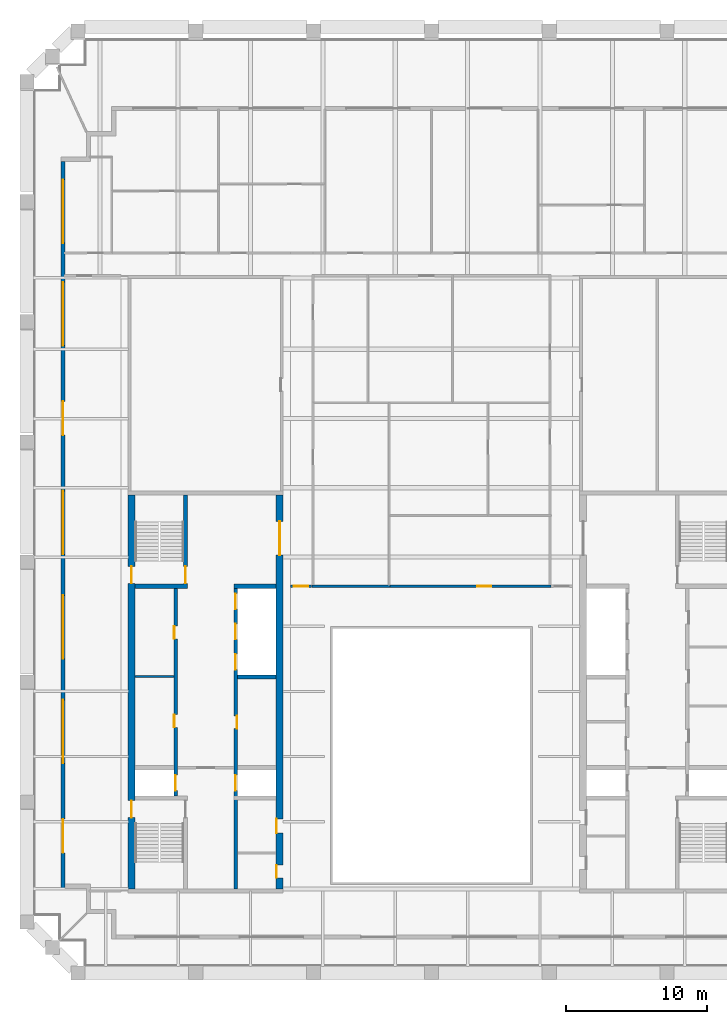
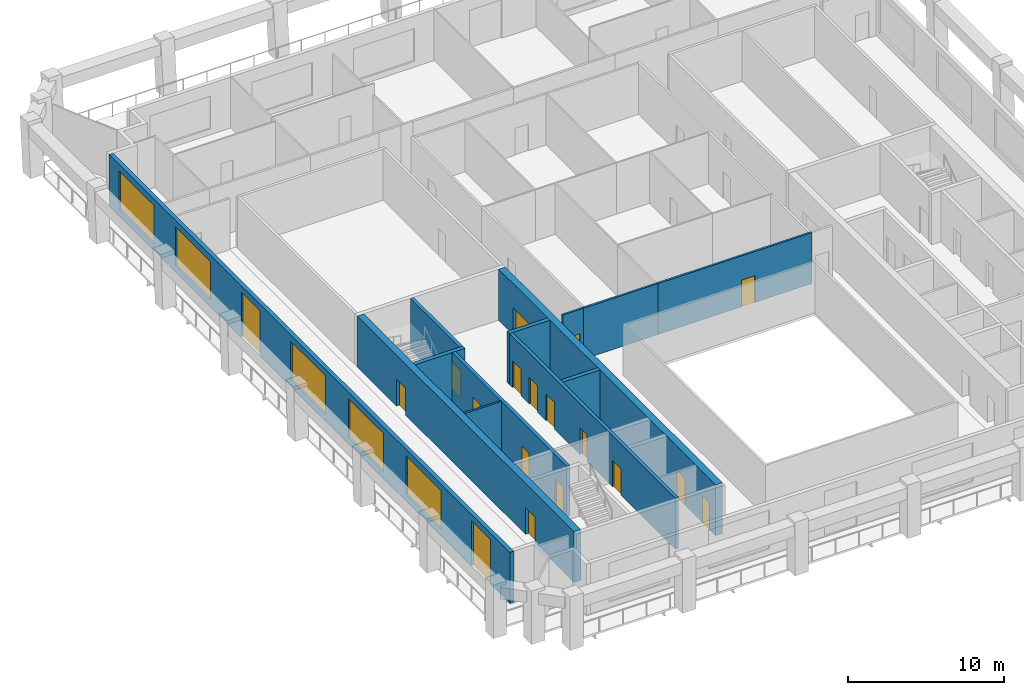
# One storey, part 3 of 8: 18 doors, 13 walls, 5 windows, 23 openings.
"""IFC4 building model written with IfcOpenShell, lengths in metres."""

from ifc_helpers import new_model, si_unit, direction, frame, frame_2d, origin, place, context, subcontext, project, spatial, rectangle, extrude, material, layer, layer_set, type_object, element, fill, save


model = new_model("IFC4")

# Units and contexts
model_context = context("Model", 3, precision=1e-05, world=origin(), true_north=direction((0.0, 1.0)))
body_context = subcontext(model_context, "Body", "Model", "MODEL_VIEW")
ifc_project = project(units=[si_unit("LENGTHUNIT", "METRE"), si_unit("AREAUNIT", "SQUARE_METRE"), si_unit("VOLUMEUNIT", "CUBIC_METRE"), si_unit("PLANEANGLEUNIT", "RADIAN"), si_unit("MASSUNIT", "GRAM", prefix="KILO")], contexts=[model_context])

# Site, building, storey
site_placement = place(None, origin())
site = spatial("IfcSite", under=ifc_project, at=site_placement, CompositionType="ELEMENT")
building_placement = place(site_placement, origin())
building = spatial("IfcBuilding", under=site, at=building_placement, Name="Ogive Exchange Tower", CompositionType="ELEMENT")
storey_placement = place(building_placement, frame((0.0, 0.0, 334.199951171875)))
storey = spatial("IfcBuildingStorey", under=building, at=storey_placement, Name="L73", CompositionType="ELEMENT", Elevation=334.199951171875)

# Walls
ifc_material_1 = material(Name="Gypsum board partition")
ifc_layer_1 = layer(ifc_material_1, 0.14990234375)
ifc_layer_set_1 = layer_set([ifc_layer_1], Name="Core room partition 150 gypsum")
wall_type_1 = type_object("IfcWallType", Name="Core room partition 150 gypsum", PredefinedType="PARTITIONING", material=ifc_layer_set_1)
wall_1_placement = place(storey_placement, frame((-21.0, 12.60009765625, 0.0), z_axis=(0.0, 0.0, 1.0), x_axis=(1.0, 0.0, 0.0)))
element("IfcWall", 1, at=wall_1_placement, inside=storey, type_object=wall_type_1, Name="W row A bay partition 1-1", PredefinedType="PARTITIONING", context=body_context, shape_type="SweptSolid", body=[
    extrude(rectangle(XDim=2.75, YDim=0.14990234375, at=frame_2d((1.375, 0.0))), origin(), (0.0, 0.0, 1.0), 4.0),
])
ifc_material_2 = material(Name="Fire partition EI 60 150")
ifc_layer_2 = layer(ifc_material_2, 0.14990234375)
ifc_layer_set_2 = layer_set([ifc_layer_2], Name="Fire partition EI 60 150")
wall_type_2 = type_object("IfcWallType", Name="Fire partition EI 60 150", PredefinedType="PARTITIONING", material=ifc_layer_set_2)
wall_2_placement = place(storey_placement, frame((-8.47509765625, 19.0, 0.0), z_axis=(0.0, 0.0, 1.0), x_axis=(1.0, 0.0, 0.0)))
element("IfcWall", 2, at=wall_2_placement, inside=storey, type_object=wall_type_2, Name="L73-PWL-015", PredefinedType="PARTITIONING", context=body_context, shape_type="SweptSolid", body=[
    extrude(rectangle(XDim=5.525146484375, YDim=0.14990234375, at=frame_2d((2.7626953125, 0.0))), origin(), (0.0, 0.0, 1.0), 4.0),
])

# Wall, opening, door
wall_3_placement = place(storey_placement, frame((-3.0, 19.0, 0.0), z_axis=(0.0, 0.0, 1.0), x_axis=(1.0, 0.0, 0.0)))
wall_3 = element("IfcWall", 3, at=wall_3_placement, inside=storey, type_object=wall_type_2, Name="L73-PWL-026", PredefinedType="PARTITIONING", context=body_context, shape_type="SweptSolid", body=[
    extrude(rectangle(XDim=11.47509765625, YDim=0.14990234375, at=frame_2d((5.737548828125, 0.0))), origin(), (0.0, 0.0, 1.0), 4.0),
])
opening_1_placement = place(wall_3_placement, frame((6.25, 0.0, 0.0)))
opening_1 = element("IfcOpeningElement", 4, at=opening_1_placement, cuts=wall_3, Name="Opening L73-I15", PredefinedType="OPENING", context=body_context, shape_type="SweptSolid", body=[
    extrude(rectangle(XDim=1.0, YDim=2.10009765625, at=frame_2d((0.5, 1.050048828125))), frame((0.0, 0.0849609375, 0.0), z_axis=(0.0, -1.0, 0.0), x_axis=(1.0, 0.0, 0.0)), (0.0, 0.0, 1.0), 0.169921875),
])
ifc_material_3 = material(Name="Fire door FD 30S 1000 x 2100")
door_type_1 = type_object("IfcDoorType", Name="Fire door FD 30S 1000 x 2100", OperationType="NOTDEFINED", PredefinedType="DOOR", material=ifc_material_3)
door_1_placement = place(opening_1_placement, origin())
door_1 = element("IfcDoor", 5, at=door_1_placement, inside=storey, type_object=door_type_1, Name="L73-IDR-015", ObjectType="DT3", OperationType="SINGLE_SWING_LEFT", OverallHeight=2.10009765625, OverallWidth=1.0, PredefinedType="DOOR", context=body_context, shape_type="SweptSolid", body=[
    extrude(rectangle(XDim=1.0, YDim=2.10009765625, at=frame_2d((0.5, 1.050048828125))), frame((0.0, 0.02490234375, 0.0), z_axis=(0.0, -1.0, 0.0), x_axis=(1.0, 0.0, 0.0)), (0.0, 0.0, 1.0), 0.050048828125),
])
fill(opening_1, door_1)

wall_4_placement = place(storey_placement, frame((-10.0, 19.0, 0.0), z_axis=(0.0, 0.0, 1.0), x_axis=(1.0, 0.0, 0.0)))
wall_4 = element("IfcWall", 6, at=wall_4_placement, inside=storey, type_object=wall_type_2, Name="L73-PWL-055", PredefinedType="PARTITIONING", context=body_context, shape_type="SweptSolid", body=[
    extrude(rectangle(XDim=1.514892578125, YDim=0.14990234375, at=frame_2d((0.75732421875, 0.0))), origin(), (0.0, 0.0, 1.0), 4.0),
])
opening_2_placement = place(wall_4_placement, frame((0.258056640625, 0.0, 0.0)))
opening_2 = element("IfcOpeningElement", 7, at=opening_2_placement, cuts=wall_4, Name="Opening L73-I21", PredefinedType="OPENING", context=body_context, shape_type="SweptSolid", body=[
    extrude(rectangle(XDim=1.0, YDim=2.10009765625, at=frame_2d((0.5, 1.050048828125))), frame((0.0, 0.0849609375, 0.0), z_axis=(0.0, -1.0, 0.0), x_axis=(1.0, 0.0, 0.0)), (0.0, 0.0, 1.0), 0.169921875),
])
door_2_placement = place(opening_2_placement, origin())
door_2 = element("IfcDoor", 8, at=door_2_placement, inside=storey, type_object=door_type_1, Name="L73-IDR-021", ObjectType="DT3", OperationType="SINGLE_SWING_LEFT", OverallHeight=2.10009765625, OverallWidth=1.0, PredefinedType="DOOR", context=body_context, shape_type="SweptSolid", body=[
    extrude(rectangle(XDim=1.0, YDim=2.10009765625, at=frame_2d((0.5, 1.050048828125))), frame((0.0, 0.02490234375, 0.0), z_axis=(0.0, -1.0, 0.0), x_axis=(1.0, 0.0, 0.0)), (0.0, 0.0, 1.0), 0.050048828125),
])
fill(opening_2, door_2)

# Wall, openings, doors, windows
ifc_material_4 = material(Name="Precast concrete C40/50", Category="concrete")
ifc_layer_3 = layer(ifc_material_4, 0.300048828125)
ifc_layer_set_3 = layer_set([ifc_layer_3], Name="Limestone-faced wall 300")
wall_type_3 = type_object("IfcWallType", Name="Limestone-faced wall 300", PredefinedType="STANDARD", material=ifc_layer_set_3)
wall_5_placement = place(storey_placement, frame((-26.10009765625, 49.10009765625, 0.0), z_axis=(0.0, 0.0, 1.0), x_axis=(0.0, -1.0, 0.0)))
wall_5 = element("IfcWall", 9, at=wall_5_placement, inside=storey, type_object=wall_type_3, Name="External wall W4", PredefinedType="STANDARD", context=body_context, shape_type="SweptSolid", body=[
    extrude(rectangle(XDim=51.5, YDim=0.300048828125, at=frame_2d((25.75, 0.0))), origin(), (0.0, 0.0, 1.0), 4.0),
])
opening_3_placement = place(wall_5_placement, frame((1.300048828125, 0.0, 0.449951171875)))
opening_3 = element("IfcOpeningElement", 10, at=opening_3_placement, cuts=wall_5, Name="Opening W1", PredefinedType="OPENING", context=body_context, shape_type="SweptSolid", body=[
    extrude(rectangle(XDim=4.5, YDim=3.050048828125, at=frame_2d((2.25, 1.52490234375))), frame((0.0, 0.159912109375, 0.0), z_axis=(0.0, -1.0, 0.0), x_axis=(1.0, 0.0, 0.0)), (0.0, 0.0, 1.0), 0.320068359375),
])
opening_4_placement = place(wall_5_placement, frame((8.550048828125, 0.0, 0.449951171875)))
opening_4 = element("IfcOpeningElement", 11, at=opening_4_placement, cuts=wall_5, Name="Opening W1", PredefinedType="OPENING", context=body_context, shape_type="SweptSolid", body=[
    extrude(rectangle(XDim=4.5, YDim=3.050048828125, at=frame_2d((2.25, 1.52490234375))), frame((0.0, 0.159912109375, 0.0), z_axis=(0.0, -1.0, 0.0), x_axis=(1.0, 0.0, 0.0)), (0.0, 0.0, 1.0), 0.320068359375),
])
opening_5_placement = place(wall_5_placement, frame((17.0, 0.0, 0.0)))
opening_5 = element("IfcOpeningElement", 12, at=opening_5_placement, cuts=wall_5, Name="Opening D1", PredefinedType="OPENING", context=body_context, shape_type="SweptSolid", body=[
    extrude(rectangle(XDim=2.39990234375, YDim=3.5, at=frame_2d((1.199951171875, 1.75))), frame((0.0, 0.159912109375, 0.0), z_axis=(0.0, -1.0, 0.0), x_axis=(1.0, 0.0, 0.0)), (0.0, 0.0, 1.0), 0.320068359375),
])
opening_6_placement = place(wall_5_placement, frame((23.35009765625, 0.0, 0.449951171875)))
opening_6 = element("IfcOpeningElement", 13, at=opening_6_placement, cuts=wall_5, Name="Opening W1", PredefinedType="OPENING", context=body_context, shape_type="SweptSolid", body=[
    extrude(rectangle(XDim=4.5, YDim=3.050048828125, at=frame_2d((2.25, 1.52490234375))), frame((0.0, 0.159912109375, 0.0), z_axis=(0.0, -1.0, 0.0), x_axis=(1.0, 0.0, 0.0)), (0.0, 0.0, 1.0), 0.320068359375),
])
opening_7_placement = place(wall_5_placement, frame((30.75, 0.0, 0.449951171875)))
opening_7 = element("IfcOpeningElement", 14, at=opening_7_placement, cuts=wall_5, Name="Opening W1", PredefinedType="OPENING", context=body_context, shape_type="SweptSolid", body=[
    extrude(rectangle(XDim=4.5, YDim=3.050048828125, at=frame_2d((2.25, 1.52490234375))), frame((0.0, 0.159912109375, 0.0), z_axis=(0.0, -1.0, 0.0), x_axis=(1.0, 0.0, 0.0)), (0.0, 0.0, 1.0), 0.320068359375),
])
opening_8_placement = place(wall_5_placement, frame((38.14990234375, 0.0, 0.449951171875)))
opening_8 = element("IfcOpeningElement", 15, at=opening_8_placement, cuts=wall_5, Name="Opening W1", PredefinedType="OPENING", context=body_context, shape_type="SweptSolid", body=[
    extrude(rectangle(XDim=4.5, YDim=3.050048828125, at=frame_2d((2.25, 1.52490234375))), frame((0.0, 0.159912109375, 0.0), z_axis=(0.0, -1.0, 0.0), x_axis=(1.0, 0.0, 0.0)), (0.0, 0.0, 1.0), 0.320068359375),
])
opening_9_placement = place(wall_5_placement, frame((46.60009765625, 0.0, 0.0)))
opening_9 = element("IfcOpeningElement", 16, at=opening_9_placement, cuts=wall_5, Name="Opening D1", PredefinedType="OPENING", context=body_context, shape_type="SweptSolid", body=[
    extrude(rectangle(XDim=2.39990234375, YDim=3.5, at=frame_2d((1.199951171875, 1.75))), frame((0.0, 0.159912109375, 0.0), z_axis=(0.0, -1.0, 0.0), x_axis=(1.0, 0.0, 0.0)), (0.0, 0.0, 1.0), 0.320068359375),
])
ifc_material_5 = material(Name="Clear glass in bronze frame", Category="glass")
door_type_2 = type_object("IfcDoorType", Name="Sliding loggia door 2400 x 3500", OperationType="DOUBLE_DOOR_SLIDING", PredefinedType="DOOR", material=ifc_material_5)
door_3_placement = place(opening_5_placement, origin())
door_3 = element("IfcDoor", 17, at=door_3_placement, inside=storey, type_object=door_type_2, Name="Loggia door W02", OperationType="DOUBLE_DOOR_SLIDING", OverallHeight=3.5, OverallWidth=2.39990234375, PredefinedType="DOOR", context=body_context, shape_type="SweptSolid", body=[
    extrude(rectangle(XDim=2.39990234375, YDim=3.5, at=frame_2d((1.199951171875, 1.75))), frame((0.0, 0.02490234375, 0.0), z_axis=(0.0, -1.0, 0.0), x_axis=(1.0, 0.0, 0.0)), (0.0, 0.0, 1.0), 0.050048828125),
])
fill(opening_5, door_3)
door_4_placement = place(opening_9_placement, origin())
door_4 = element("IfcDoor", 18, at=door_4_placement, inside=storey, type_object=door_type_2, Name="Loggia door W06", OperationType="DOUBLE_DOOR_SLIDING", OverallHeight=3.5, OverallWidth=2.39990234375, PredefinedType="DOOR", context=body_context, shape_type="SweptSolid", body=[
    extrude(rectangle(XDim=2.39990234375, YDim=3.5, at=frame_2d((1.199951171875, 1.75))), frame((0.0, 0.02490234375, 0.0), z_axis=(0.0, -1.0, 0.0), x_axis=(1.0, 0.0, 0.0)), (0.0, 0.0, 1.0), 0.050048828125),
])
fill(opening_9, door_4)
window_type = type_object("IfcWindowType", Name="Twin lancet window 4500 x 3050", PartitioningType="DOUBLE_PANEL_VERTICAL", PredefinedType="WINDOW", material=ifc_material_5)
window_1_placement = place(opening_3_placement, origin())
window_1 = element("IfcWindow", 19, at=window_1_placement, inside=storey, type_object=window_type, Name="Window W00", OverallHeight=3.050048828125, OverallWidth=4.5, PartitioningType="DOUBLE_PANEL_VERTICAL", PredefinedType="WINDOW", context=body_context, shape_type="SweptSolid", body=[
    extrude(rectangle(XDim=4.5, YDim=3.050048828125, at=frame_2d((2.25, 1.52490234375))), frame((0.0, 0.030029296875, 0.0), z_axis=(0.0, -1.0, 0.0), x_axis=(1.0, 0.0, 0.0)), (0.0, 0.0, 1.0), 0.06005859375),
])
fill(opening_3, window_1)
window_2_placement = place(opening_4_placement, origin())
window_2 = element("IfcWindow", 20, at=window_2_placement, inside=storey, type_object=window_type, Name="Window W01", OverallHeight=3.050048828125, OverallWidth=4.5, PartitioningType="DOUBLE_PANEL_VERTICAL", PredefinedType="WINDOW", context=body_context, shape_type="SweptSolid", body=[
    extrude(rectangle(XDim=4.5, YDim=3.050048828125, at=frame_2d((2.25, 1.52490234375))), frame((0.0, 0.030029296875, 0.0), z_axis=(0.0, -1.0, 0.0), x_axis=(1.0, 0.0, 0.0)), (0.0, 0.0, 1.0), 0.06005859375),
])
fill(opening_4, window_2)
window_3_placement = place(opening_6_placement, origin())
window_3 = element("IfcWindow", 21, at=window_3_placement, inside=storey, type_object=window_type, Name="Window W03", OverallHeight=3.050048828125, OverallWidth=4.5, PartitioningType="DOUBLE_PANEL_VERTICAL", PredefinedType="WINDOW", context=body_context, shape_type="SweptSolid", body=[
    extrude(rectangle(XDim=4.5, YDim=3.050048828125, at=frame_2d((2.25, 1.52490234375))), frame((0.0, 0.030029296875, 0.0), z_axis=(0.0, -1.0, 0.0), x_axis=(1.0, 0.0, 0.0)), (0.0, 0.0, 1.0), 0.06005859375),
])
fill(opening_6, window_3)
window_4_placement = place(opening_7_placement, origin())
window_4 = element("IfcWindow", 22, at=window_4_placement, inside=storey, type_object=window_type, Name="Window W04", OverallHeight=3.050048828125, OverallWidth=4.5, PartitioningType="DOUBLE_PANEL_VERTICAL", PredefinedType="WINDOW", context=body_context, shape_type="SweptSolid", body=[
    extrude(rectangle(XDim=4.5, YDim=3.050048828125, at=frame_2d((2.25, 1.52490234375))), frame((0.0, 0.030029296875, 0.0), z_axis=(0.0, -1.0, 0.0), x_axis=(1.0, 0.0, 0.0)), (0.0, 0.0, 1.0), 0.06005859375),
])
fill(opening_7, window_4)
window_5_placement = place(opening_8_placement, origin())
window_5 = element("IfcWindow", 23, at=window_5_placement, inside=storey, type_object=window_type, Name="Window W05", OverallHeight=3.050048828125, OverallWidth=4.5, PartitioningType="DOUBLE_PANEL_VERTICAL", PredefinedType="WINDOW", context=body_context, shape_type="SweptSolid", body=[
    extrude(rectangle(XDim=4.5, YDim=3.050048828125, at=frame_2d((2.25, 1.52490234375))), frame((0.0, 0.030029296875, 0.0), z_axis=(0.0, -1.0, 0.0), x_axis=(1.0, 0.0, 0.0)), (0.0, 0.0, 1.0), 0.06005859375),
])
fill(opening_8, window_5)

# Wall, opening, door
ifc_material_6 = material(Name="Concrete C70/85", Category="concrete")
ifc_layer_4 = layer(ifc_material_6, 0.25)
ifc_layer_set_4 = layer_set([ifc_layer_4], Name="RC core wall 250 C70/85")
wall_type_4 = type_object("IfcWallType", Name="RC core wall 250 C70/85", PredefinedType="SHEAR", material=ifc_layer_set_4)
wall_6_placement = place(storey_placement, frame((-17.425048828125, 19.14990234375, 0.0), z_axis=(0.0, 0.0, 1.0), x_axis=(0.0, 1.0, 0.0)))
wall_6 = element("IfcWall", 24, at=wall_6_placement, inside=storey, type_object=wall_type_4, Name="W stair N front wall", PredefinedType="SHEAR", context=body_context, shape_type="SweptSolid", body=[
    extrude(rectangle(XDim=6.300048828125, YDim=0.25, at=frame_2d((3.14990234375, 0.0))), origin(), (0.0, 0.0, 1.0), 4.0),
])
opening_10_placement = place(wall_6_placement, frame((0.050048828125, 0.0, 0.0)))
opening_10 = element("IfcOpeningElement", 25, at=opening_10_placement, cuts=wall_6, Name="Opening L73-C13", PredefinedType="OPENING", context=body_context, shape_type="SweptSolid", body=[
    extrude(rectangle(XDim=1.199951171875, YDim=2.10009765625, at=frame_2d((0.60009765625, 1.050048828125))), frame((0.0, 0.135009765625, 0.0), z_axis=(0.0, -1.0, 0.0), x_axis=(1.0, 0.0, 0.0)), (0.0, 0.0, 1.0), 0.27001953125),
])
ifc_material_7 = material(Name="Steel fire door", Category="steel")
door_type_3 = type_object("IfcDoorType", Name="Stair door FD90 1200 x 2100", OperationType="NOTDEFINED", PredefinedType="DOOR", material=ifc_material_7)
door_5_placement = place(opening_10_placement, origin())
door_5 = element("IfcDoor", 26, at=door_5_placement, inside=storey, type_object=door_type_3, Name="Stair door", ObjectType="CD5", OperationType="SINGLE_SWING_RIGHT", OverallHeight=2.10009765625, OverallWidth=1.199951171875, PredefinedType="DOOR", context=body_context, shape_type="SweptSolid", body=[
    extrude(rectangle(XDim=1.199951171875, YDim=2.10009765625, at=frame_2d((0.60009765625, 1.050048828125))), frame((0.0, 0.02490234375, 0.0), z_axis=(0.0, -1.0, 0.0), x_axis=(1.0, 0.0, 0.0)), (0.0, 0.0, 1.0), 0.050048828125),
])
fill(opening_10, door_5)

# Wall, openings, doors
wall_7_placement = place(storey_placement, frame((-18.125, 4.14990234375, 0.0), z_axis=(0.0, 0.0, 1.0), x_axis=(0.0, 1.0, 0.0)))
wall_7 = element("IfcWall", 27, at=wall_7_placement, inside=storey, type_object=wall_type_4, Name="W row A front wall", PredefinedType="SHEAR", context=body_context, shape_type="SweptSolid", body=[
    extrude(rectangle(XDim=14.7001953125, YDim=0.25, at=frame_2d((7.35009765625, 0.0))), origin(), (0.0, 0.0, 1.0), 4.0),
])
opening_11_placement = place(wall_7_placement, frame((4.846435546875, 0.0, 0.0)))
opening_11 = element("IfcOpeningElement", 28, at=opening_11_placement, cuts=wall_7, Name="Opening L73-C01", PredefinedType="OPENING", context=body_context, shape_type="SweptSolid", body=[
    extrude(rectangle(XDim=0.89990234375, YDim=2.10009765625, at=frame_2d((0.449951171875, 1.050048828125))), frame((0.0, 0.135009765625, 0.0), z_axis=(0.0, -1.0, 0.0), x_axis=(1.0, 0.0, 0.0)), (0.0, 0.0, 1.0), 0.27001953125),
])
opening_12_placement = place(wall_7_placement, frame((11.125, 0.0, 0.0)))
opening_12 = element("IfcOpeningElement", 29, at=opening_12_placement, cuts=wall_7, Name="Opening L73-C02", PredefinedType="OPENING", context=body_context, shape_type="SweptSolid", body=[
    extrude(rectangle(XDim=0.89990234375, YDim=2.10009765625, at=frame_2d((0.449951171875, 1.050048828125))), frame((0.0, 0.135009765625, 0.0), z_axis=(0.0, -1.0, 0.0), x_axis=(1.0, 0.0, 0.0)), (0.0, 0.0, 1.0), 0.27001953125),
])
opening_13_placement = place(wall_7_placement, frame((0.371337890625, 0.0, 0.0)))
opening_13 = element("IfcOpeningElement", 30, at=opening_13_placement, cuts=wall_7, Name="Opening L73-C03", PredefinedType="OPENING", context=body_context, shape_type="SweptSolid", body=[
    extrude(rectangle(XDim=1.10009765625, YDim=2.10009765625, at=frame_2d((0.550048828125, 1.050048828125))), frame((0.0, 0.135009765625, 0.0), z_axis=(0.0, -1.0, 0.0), x_axis=(1.0, 0.0, 0.0)), (0.0, 0.0, 1.0), 0.27001953125),
])
ifc_material_8 = material(Name="Stainless steel", Category="steel")
door_type_4 = type_object("IfcDoorType", Name="Lift landing door FD90 1100 x 2100", OperationType="SLIDING_TO_LEFT", PredefinedType="DOOR", material=ifc_material_8)
door_6_placement = place(opening_13_placement, origin())
door_6 = element("IfcDoor", 31, at=door_6_placement, inside=storey, type_object=door_type_4, Name="Lift landing door FF1", ObjectType="LD", OperationType="SLIDING_TO_LEFT", OverallHeight=2.10009765625, OverallWidth=1.10009765625, PredefinedType="DOOR", context=body_context, shape_type="SweptSolid", body=[
    extrude(rectangle(XDim=1.10009765625, YDim=2.10009765625, at=frame_2d((0.550048828125, 1.050048828125))), frame((0.0, 0.02490234375, 0.0), z_axis=(0.0, -1.0, 0.0), x_axis=(1.0, 0.0, 0.0)), (0.0, 0.0, 1.0), 0.050048828125),
])
fill(opening_13, door_6)
door_type_5 = type_object("IfcDoorType", Name="Riser door FD60 900 x 2100", OperationType="NOTDEFINED", PredefinedType="DOOR", material=ifc_material_7)
door_7_placement = place(opening_11_placement, origin())
door_7 = element("IfcDoor", 32, at=door_7_placement, inside=storey, type_object=door_type_5, Name="Riser door", ObjectType="CD2", OperationType="SINGLE_SWING_LEFT", OverallHeight=2.10009765625, OverallWidth=0.89990234375, PredefinedType="DOOR", context=body_context, shape_type="SweptSolid", body=[
    extrude(rectangle(XDim=0.89990234375, YDim=2.10009765625, at=frame_2d((0.449951171875, 1.050048828125))), frame((0.0, 0.125, 0.0), z_axis=(0.0, -1.0, 0.0), x_axis=(1.0, 0.0, 0.0)), (0.0, 0.0, 1.0), 0.050048828125),
])
fill(opening_11, door_7)
door_8_placement = place(opening_12_placement, origin())
door_8 = element("IfcDoor", 33, at=door_8_placement, inside=storey, type_object=door_type_5, Name="Riser door", ObjectType="CD2", OperationType="SINGLE_SWING_LEFT", OverallHeight=2.10009765625, OverallWidth=0.89990234375, PredefinedType="DOOR", context=body_context, shape_type="SweptSolid", body=[
    extrude(rectangle(XDim=0.89990234375, YDim=2.10009765625, at=frame_2d((0.449951171875, 1.050048828125))), frame((0.0, 0.125, 0.0), z_axis=(0.0, -1.0, 0.0), x_axis=(1.0, 0.0, 0.0)), (0.0, 0.0, 1.0), 0.050048828125),
])
fill(opening_12, door_8)

wall_8_placement = place(storey_placement, frame((-13.875, -2.449951171875, 0.0), z_axis=(0.0, 0.0, 1.0), x_axis=(0.0, 1.0, 0.0)))
wall_8 = element("IfcWall", 34, at=wall_8_placement, inside=storey, type_object=wall_type_4, Name="W row B front wall", PredefinedType="SHEAR", context=body_context, shape_type="SweptSolid", body=[
    extrude(rectangle(XDim=21.300048828125, YDim=0.25, at=frame_2d((10.64990234375, 0.0))), origin(), (0.0, 0.0, 1.0), 4.0),
])
opening_14_placement = place(wall_8_placement, frame((11.357177734375, 0.0, 0.0)))
opening_14 = element("IfcOpeningElement", 35, at=opening_14_placement, cuts=wall_8, Name="Opening L73-C04", PredefinedType="OPENING", context=body_context, shape_type="SweptSolid", body=[
    extrude(rectangle(XDim=0.89990234375, YDim=2.10009765625, at=frame_2d((0.449951171875, 1.050048828125))), frame((0.0, 0.135009765625, 0.0), z_axis=(0.0, -1.0, 0.0), x_axis=(1.0, 0.0, 0.0)), (0.0, 0.0, 1.0), 0.27001953125),
])
opening_15_placement = place(wall_8_placement, frame((6.971435546875, 0.0, 0.0)))
opening_15 = element("IfcOpeningElement", 36, at=opening_15_placement, cuts=wall_8, Name="Opening L73-C05", PredefinedType="OPENING", context=body_context, shape_type="SweptSolid", body=[
    extrude(rectangle(XDim=1.10009765625, YDim=2.10009765625, at=frame_2d((0.550048828125, 1.050048828125))), frame((0.0, 0.135009765625, 0.0), z_axis=(0.0, -1.0, 0.0), x_axis=(1.0, 0.0, 0.0)), (0.0, 0.0, 1.0), 0.27001953125),
])
opening_16_placement = place(wall_8_placement, frame((15.54296875, 0.0, 0.0)))
opening_16 = element("IfcOpeningElement", 37, at=opening_16_placement, cuts=wall_8, Name="Opening L73-C06", PredefinedType="OPENING", context=body_context, shape_type="SweptSolid", body=[
    extrude(rectangle(XDim=1.10009765625, YDim=2.10009765625, at=frame_2d((0.550048828125, 1.050048828125))), frame((0.0, 0.135009765625, 0.0), z_axis=(0.0, -1.0, 0.0), x_axis=(1.0, 0.0, 0.0)), (0.0, 0.0, 1.0), 0.27001953125),
])
opening_17_placement = place(wall_8_placement, frame((17.685791015625, 0.0, 0.0)))
opening_17 = element("IfcOpeningElement", 38, at=opening_17_placement, cuts=wall_8, Name="Opening L73-C07", PredefinedType="OPENING", context=body_context, shape_type="SweptSolid", body=[
    extrude(rectangle(XDim=1.10009765625, YDim=2.10009765625, at=frame_2d((0.550048828125, 1.050048828125))), frame((0.0, 0.135009765625, 0.0), z_axis=(0.0, -1.0, 0.0), x_axis=(1.0, 0.0, 0.0)), (0.0, 0.0, 1.0), 0.27001953125),
])
opening_18_placement = place(wall_8_placement, frame((19.82861328125, 0.0, 0.0)))
opening_18 = element("IfcOpeningElement", 39, at=opening_18_placement, cuts=wall_8, Name="Opening L73-C08", PredefinedType="OPENING", context=body_context, shape_type="SweptSolid", body=[
    extrude(rectangle(XDim=1.10009765625, YDim=2.10009765625, at=frame_2d((0.550048828125, 1.050048828125))), frame((0.0, 0.135009765625, 0.0), z_axis=(0.0, -1.0, 0.0), x_axis=(1.0, 0.0, 0.0)), (0.0, 0.0, 1.0), 0.27001953125),
])
door_9_placement = place(opening_15_placement, origin())
door_9 = element("IfcDoor", 40, at=door_9_placement, inside=storey, type_object=door_type_4, Name="Lift landing door SV1", ObjectType="LD", OperationType="SLIDING_TO_LEFT", OverallHeight=2.10009765625, OverallWidth=1.10009765625, PredefinedType="DOOR", context=body_context, shape_type="SweptSolid", body=[
    extrude(rectangle(XDim=1.10009765625, YDim=2.10009765625, at=frame_2d((0.550048828125, 1.050048828125))), frame((0.0, 0.02490234375, 0.0), z_axis=(0.0, -1.0, 0.0), x_axis=(1.0, 0.0, 0.0)), (0.0, 0.0, 1.0), 0.050048828125),
])
fill(opening_15, door_9)
door_10_placement = place(opening_16_placement, origin())
door_10 = element("IfcDoor", 41, at=door_10_placement, inside=storey, type_object=door_type_4, Name="Lift landing door W-H1", ObjectType="LD", OperationType="SLIDING_TO_LEFT", OverallHeight=2.10009765625, OverallWidth=1.10009765625, PredefinedType="DOOR", context=body_context, shape_type="SweptSolid", body=[
    extrude(rectangle(XDim=1.10009765625, YDim=2.10009765625, at=frame_2d((0.550048828125, 1.050048828125))), frame((0.0, 0.02490234375, 0.0), z_axis=(0.0, -1.0, 0.0), x_axis=(1.0, 0.0, 0.0)), (0.0, 0.0, 1.0), 0.050048828125),
])
fill(opening_16, door_10)
door_11_placement = place(opening_17_placement, origin())
door_11 = element("IfcDoor", 42, at=door_11_placement, inside=storey, type_object=door_type_4, Name="Lift landing door W-H2", ObjectType="LD", OperationType="SLIDING_TO_LEFT", OverallHeight=2.10009765625, OverallWidth=1.10009765625, PredefinedType="DOOR", context=body_context, shape_type="SweptSolid", body=[
    extrude(rectangle(XDim=1.10009765625, YDim=2.10009765625, at=frame_2d((0.550048828125, 1.050048828125))), frame((0.0, 0.02490234375, 0.0), z_axis=(0.0, -1.0, 0.0), x_axis=(1.0, 0.0, 0.0)), (0.0, 0.0, 1.0), 0.050048828125),
])
fill(opening_17, door_11)
door_12_placement = place(opening_18_placement, origin())
door_12 = element("IfcDoor", 43, at=door_12_placement, inside=storey, type_object=door_type_4, Name="Lift landing door W-H3", ObjectType="LD", OperationType="SLIDING_TO_LEFT", OverallHeight=2.10009765625, OverallWidth=1.10009765625, PredefinedType="DOOR", context=body_context, shape_type="SweptSolid", body=[
    extrude(rectangle(XDim=1.10009765625, YDim=2.10009765625, at=frame_2d((0.550048828125, 1.050048828125))), frame((0.0, 0.02490234375, 0.0), z_axis=(0.0, -1.0, 0.0), x_axis=(1.0, 0.0, 0.0)), (0.0, 0.0, 1.0), 0.050048828125),
])
fill(opening_18, door_12)
door_13_placement = place(opening_14_placement, frame((0.89990234375, -0.2001953125, 0.0), z_axis=(0.0, 0.0, 1.0), x_axis=(-1.0, 0.0, 0.0)))
door_13 = element("IfcDoor", 44, at=door_13_placement, inside=storey, type_object=door_type_5, Name="Riser door", ObjectType="CD2", OperationType="SINGLE_SWING_LEFT", OverallHeight=2.10009765625, OverallWidth=0.89990234375, PredefinedType="DOOR", context=body_context, shape_type="SweptSolid", body=[
    extrude(rectangle(XDim=0.89990234375, YDim=2.10009765625, at=frame_2d((0.449951171875, 1.050048828125))), frame((0.0, -0.0751953125, 0.0), z_axis=(0.0, -1.0, 0.0), x_axis=(1.0, 0.0, 0.0)), (0.0, 0.0, 1.0), 0.050048828125),
])
fill(opening_14, door_13)

# Walls
ifc_layer_5 = layer(ifc_material_6, 0.300048828125)
ifc_layer_set_5 = layer_set([ifc_layer_5], Name="RC core wall 300 C70/85")
wall_type_5 = type_object("IfcWallType", Name="RC core wall 300 C70/85", PredefinedType="SHEAR", material=ifc_layer_set_5)
wall_9_placement = place(storey_placement, frame((-21.0, 19.0, 0.0), z_axis=(0.0, 0.0, 1.0), x_axis=(1.0, 0.0, 0.0)))
element("IfcWall", 45, at=wall_9_placement, inside=storey, type_object=wall_type_5, Name="W stair N south wall", PredefinedType="SHEAR", context=body_context, shape_type="SweptSolid", body=[
    extrude(rectangle(XDim=3.699951171875, YDim=0.300048828125, at=frame_2d((1.85009765625, 0.0))), origin(), (0.0, 0.0, 1.0), 4.0),
])
wall_10_placement = place(storey_placement, frame((-13.75, 12.5712890625, 0.0), z_axis=(0.0, 0.0, 1.0), x_axis=(1.0, 0.0, 0.0)))
element("IfcWall", 46, at=wall_10_placement, inside=storey, type_object=wall_type_5, Name="W row B divider 4", PredefinedType="SHEAR", context=body_context, shape_type="SweptSolid", body=[
    extrude(rectangle(XDim=2.75, YDim=0.300048828125, at=frame_2d((1.375, 0.0))), origin(), (0.0, 0.0, 1.0), 4.0),
])
wall_11_placement = place(storey_placement, frame((-14.0, 19.0, 0.0), z_axis=(0.0, 0.0, 1.0), x_axis=(1.0, 0.0, 0.0)))
element("IfcWall", 47, at=wall_11_placement, inside=storey, type_object=wall_type_5, Name="W row B divider 7", PredefinedType="SHEAR", context=body_context, shape_type="SweptSolid", body=[
    extrude(rectangle(XDim=3.0, YDim=0.300048828125, at=frame_2d((1.5, 0.0))), origin(), (0.0, 0.0, 1.0), 4.0),
])

# Wall, openings, doors
ifc_layer_6 = layer(ifc_material_6, 0.5)
ifc_layer_set_6 = layer_set([ifc_layer_6], Name="RC core wall 500 C70/85")
wall_type_6 = type_object("IfcWallType", Name="RC core wall 500 C70/85", PredefinedType="SHEAR", material=ifc_layer_set_6)
wall_12_placement = place(storey_placement, frame((-21.25, -2.449951171875, 0.0), z_axis=(0.0, 0.0, 1.0), x_axis=(0.0, 1.0, 0.0)))
wall_12 = element("IfcWall", 48, at=wall_12_placement, inside=storey, type_object=wall_type_6, Name="W outer wall", PredefinedType="SHEAR", context=body_context, shape_type="SweptSolid", body=[
    extrude(rectangle(XDim=27.89990234375, YDim=0.5, at=frame_2d((13.949951171875, 0.0))), origin(), (0.0, 0.0, 1.0), 4.0),
])
opening_19_placement = place(wall_12_placement, frame((5.050048828125, 0.0, 0.0)))
opening_19 = element("IfcOpeningElement", 49, at=opening_19_placement, cuts=wall_12, Name="Opening L73-C12", PredefinedType="OPENING", context=body_context, shape_type="SweptSolid", body=[
    extrude(rectangle(XDim=1.199951171875, YDim=2.10009765625, at=frame_2d((0.60009765625, 1.050048828125))), frame((0.0, 0.260009765625, 0.0), z_axis=(0.0, -1.0, 0.0), x_axis=(1.0, 0.0, 0.0)), (0.0, 0.0, 1.0), 0.52001953125),
])
opening_20_placement = place(wall_12_placement, frame((21.64990234375, 0.0, 0.0)))
opening_20 = element("IfcOpeningElement", 50, at=opening_20_placement, cuts=wall_12, Name="Opening L73-C14", PredefinedType="OPENING", context=body_context, shape_type="SweptSolid", body=[
    extrude(rectangle(XDim=1.199951171875, YDim=2.10009765625, at=frame_2d((0.60009765625, 1.050048828125))), frame((0.0, 0.260009765625, 0.0), z_axis=(0.0, -1.0, 0.0), x_axis=(1.0, 0.0, 0.0)), (0.0, 0.0, 1.0), 0.52001953125),
])
door_14_placement = place(opening_19_placement, origin())
door_14 = element("IfcDoor", 51, at=door_14_placement, inside=storey, type_object=door_type_3, Name="Stair door", ObjectType="CD5", OperationType="SINGLE_SWING_RIGHT", OverallHeight=2.10009765625, OverallWidth=1.199951171875, PredefinedType="DOOR", context=body_context, shape_type="SweptSolid", body=[
    extrude(rectangle(XDim=1.199951171875, YDim=2.10009765625, at=frame_2d((0.60009765625, 1.050048828125))), frame((0.0, 0.02490234375, 0.0), z_axis=(0.0, -1.0, 0.0), x_axis=(1.0, 0.0, 0.0)), (0.0, 0.0, 1.0), 0.050048828125),
])
fill(opening_19, door_14)
door_15_placement = place(opening_20_placement, origin())
door_15 = element("IfcDoor", 52, at=door_15_placement, inside=storey, type_object=door_type_3, Name="Stair door", ObjectType="CD5", OperationType="SINGLE_SWING_LEFT", OverallHeight=2.10009765625, OverallWidth=1.199951171875, PredefinedType="DOOR", context=body_context, shape_type="SweptSolid", body=[
    extrude(rectangle(XDim=1.199951171875, YDim=2.10009765625, at=frame_2d((0.60009765625, 1.050048828125))), frame((0.0, 0.02490234375, 0.0), z_axis=(0.0, -1.0, 0.0), x_axis=(1.0, 0.0, 0.0)), (0.0, 0.0, 1.0), 0.050048828125),
])
fill(opening_20, door_15)

wall_13_placement = place(storey_placement, frame((-10.75, -2.449951171875, 0.0), z_axis=(0.0, 0.0, 1.0), x_axis=(0.0, 1.0, 0.0)))
wall_13 = element("IfcWall", 53, at=wall_13_placement, inside=storey, type_object=wall_type_6, Name="W inner wall", PredefinedType="SHEAR", context=body_context, shape_type="SweptSolid", body=[
    extrude(rectangle(XDim=27.89990234375, YDim=0.5, at=frame_2d((13.949951171875, 0.0))), origin(), (0.0, 0.0, 1.0), 4.0),
])
opening_21_placement = place(wall_13_placement, frame((23.64990234375, 0.0, 0.0)))
opening_21 = element("IfcOpeningElement", 54, at=opening_21_placement, cuts=wall_13, Name="Opening L73-C10", PredefinedType="OPENING", context=body_context, shape_type="SweptSolid", body=[
    extrude(rectangle(XDim=2.39990234375, YDim=2.10009765625, at=frame_2d((1.199951171875, 1.050048828125))), frame((0.0, 0.260009765625, 0.0), z_axis=(0.0, -1.0, 0.0), x_axis=(1.0, 0.0, 0.0)), (0.0, 0.0, 1.0), 0.52001953125),
])
opening_22_placement = place(wall_13_placement, frame((0.78759765625, 0.0, 0.0)))
opening_22 = element("IfcOpeningElement", 55, at=opening_22_placement, cuts=wall_13, Name="Opening L73-C15", PredefinedType="OPENING", context=body_context, shape_type="SweptSolid", body=[
    extrude(rectangle(XDim=0.89990234375, YDim=2.10009765625, at=frame_2d((0.449951171875, 1.050048828125))), frame((0.0, 0.260009765625, 0.0), z_axis=(0.0, -1.0, 0.0), x_axis=(1.0, 0.0, 0.0)), (0.0, 0.0, 1.0), 0.52001953125),
])
opening_23_placement = place(wall_13_placement, frame((3.96240234375, 0.0, 0.0)))
opening_23 = element("IfcOpeningElement", 56, at=opening_23_placement, cuts=wall_13, Name="Opening L73-C16", PredefinedType="OPENING", context=body_context, shape_type="SweptSolid", body=[
    extrude(rectangle(XDim=1.0, YDim=2.10009765625, at=frame_2d((0.5, 1.050048828125))), frame((0.0, 0.260009765625, 0.0), z_axis=(0.0, -1.0, 0.0), x_axis=(1.0, 0.0, 0.0)), (0.0, 0.0, 1.0), 0.52001953125),
])
ifc_material_9 = material(Name="Timber fire door", Category="wood")
door_type_6 = type_object("IfcDoorType", Name="Accessible WC door FD30S 1000 x 2100", OperationType="NOTDEFINED", PredefinedType="DOOR", material=ifc_material_9)
door_16_placement = place(opening_23_placement, frame((1.0, 0.4501953125, 0.0), z_axis=(0.0, 0.0, 1.0), x_axis=(-1.0, 0.0, 0.0)))
door_16 = element("IfcDoor", 57, at=door_16_placement, inside=storey, type_object=door_type_6, Name="Accessible WC door", ObjectType="CD7", OperationType="SINGLE_SWING_RIGHT", OverallHeight=2.10009765625, OverallWidth=1.0, PredefinedType="DOOR", context=body_context, shape_type="SweptSolid", body=[
    extrude(rectangle(XDim=1.0, YDim=2.10009765625, at=frame_2d((0.5, 1.050048828125))), frame((0.0, 0.25, 0.0), z_axis=(0.0, -1.0, 0.0), x_axis=(1.0, 0.0, 0.0)), (0.0, 0.0, 1.0), 0.050048828125),
])
fill(opening_23, door_16)
door_type_7 = type_object("IfcDoorType", Name="Core room door FD30S 900 x 2100", OperationType="NOTDEFINED", PredefinedType="DOOR", material=ifc_material_9)
door_17_placement = place(opening_22_placement, frame((0.89990234375, 0.4501953125, 0.0), z_axis=(0.0, 0.0, 1.0), x_axis=(-1.0, 0.0, 0.0)))
door_17 = element("IfcDoor", 58, at=door_17_placement, inside=storey, type_object=door_type_7, Name="Core room door", ObjectType="CD6", OperationType="SINGLE_SWING_RIGHT", OverallHeight=2.10009765625, OverallWidth=0.89990234375, PredefinedType="DOOR", context=body_context, shape_type="SweptSolid", body=[
    extrude(rectangle(XDim=0.89990234375, YDim=2.10009765625, at=frame_2d((0.449951171875, 1.050048828125))), frame((0.0, 0.25, 0.0), z_axis=(0.0, -1.0, 0.0), x_axis=(1.0, 0.0, 0.0)), (0.0, 0.0, 1.0), 0.050048828125),
])
fill(opening_22, door_17)
ifc_material_10 = material(Name="Glazed steel fire door", Category="steel")
door_type_8 = type_object("IfcDoorType", Name="Lift lobby double door FD60 2400 x 2100", OperationType="DOUBLE_DOOR_SINGLE_SWING", PredefinedType="DOOR", material=ifc_material_10)
door_18_placement = place(opening_21_placement, frame((2.39990234375, 0.0, 0.0), z_axis=(0.0, 0.0, 1.0), x_axis=(-1.0, 0.0, 0.0)))
door_18 = element("IfcDoor", 59, at=door_18_placement, inside=storey, type_object=door_type_8, Name="Lift lobby double door", ObjectType="CD4", OperationType="DOUBLE_DOOR_SINGLE_SWING", OverallHeight=2.10009765625, OverallWidth=2.39990234375, PredefinedType="DOOR", context=body_context, shape_type="SweptSolid", body=[
    extrude(rectangle(XDim=2.39990234375, YDim=2.10009765625, at=frame_2d((1.199951171875, 1.050048828125))), frame((0.0, 0.02490234375, 0.0), z_axis=(0.0, -1.0, 0.0), x_axis=(1.0, 0.0, 0.0)), (0.0, 0.0, 1.0), 0.050048828125),
])
fill(opening_21, door_18)

save(model, "model.ifc")
